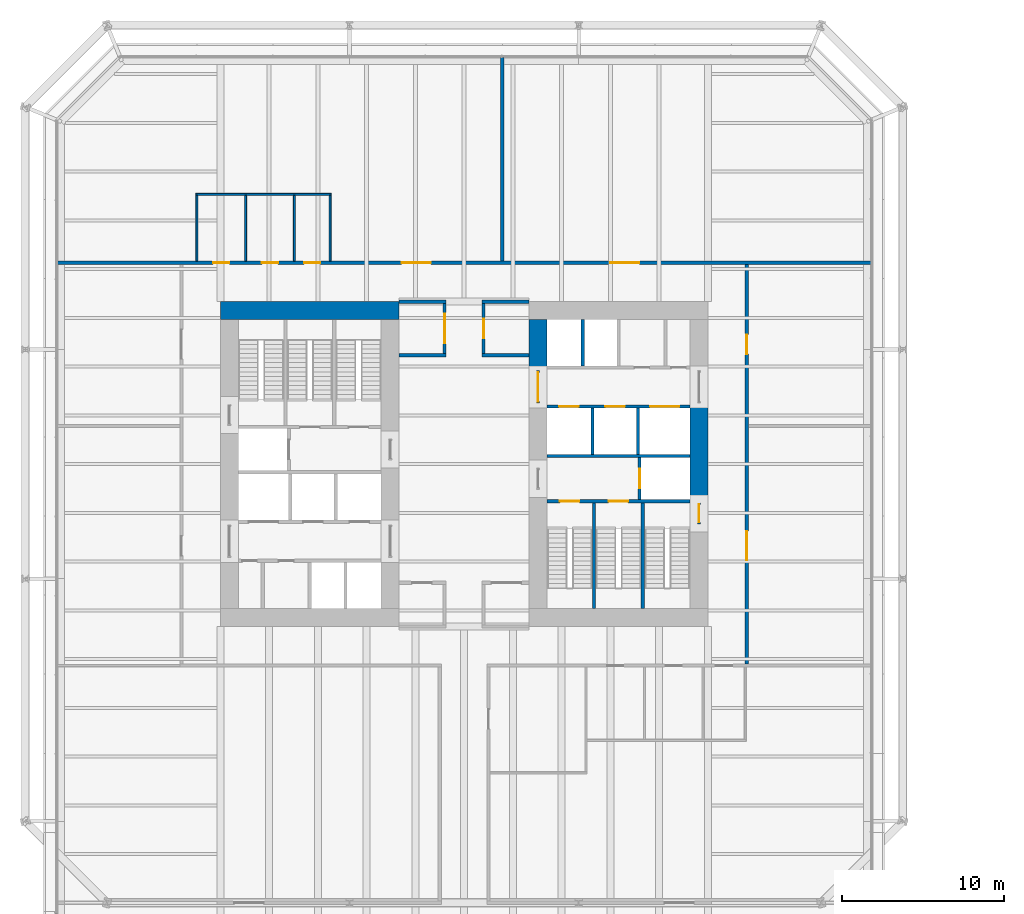
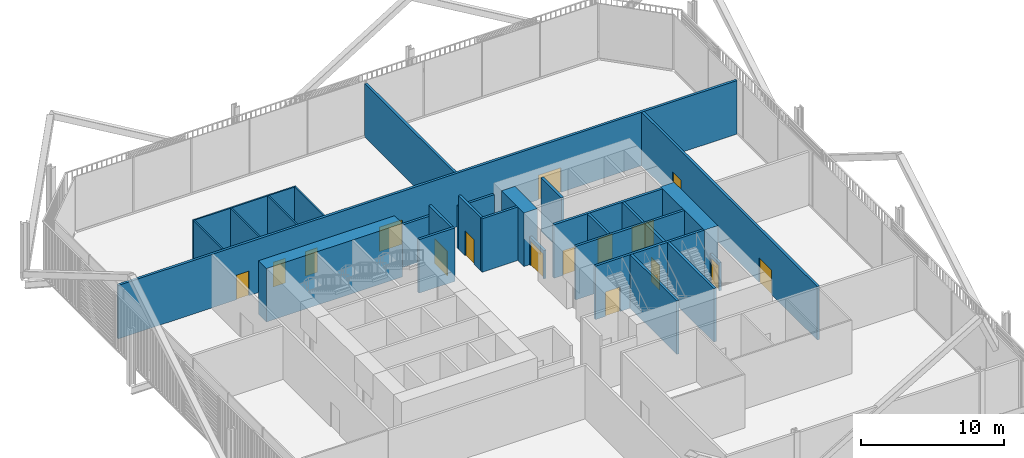
# One storey, part 21 of 26: 28 walls, 17 doors, 17 openings.
"""IFC4 building model written with IfcOpenShell, lengths in metres."""

import ifcopenshell
import ifcopenshell.guid

model = None  # the IFC model being written
_history = None  # IfcOwnerHistory: only IFC2X3 demands one
_inside = {}  # id of a spatial element -> (the spatial element, [elements in it])
_under = {}  # id of a project, library or spatial element -> (it, [spatial elements below it])
_declared = {}  # id of a project -> (the project, [libraries it declares])
_typed = {}  # id of a type object -> (the type object, [elements of that type])
_made_of = {}  # id of a material, layer set ... -> (it, [elements and type objects made of it])


def new_model(schema):
    """Start an empty IFC model of exactly this schema.

    Asked for "IFC4X3", IfcOpenShell would pick the latest addendum, in which some entities
    have other attributes; the version numbers below select the first issue.
    IFC2X3 requires an IfcOwnerHistory on every rooted entity: one is made here for all.
    """
    global model, _history
    if schema == "IFC4X3":
        model = ifcopenshell.file(schema_version=(4, 3, 0, 0))
    else:
        model = ifcopenshell.file(schema=schema)
    _inside.clear()
    _under.clear()
    _declared.clear()
    _typed.clear()
    _made_of.clear()
    _history = None
    if model.schema == "IFC2X3":
        org = make("IfcOrganization", Name="unknown")
        user = make(
            "IfcPersonAndOrganization",
            ThePerson=make("IfcPerson", FamilyName="unknown"),
            TheOrganization=org,
        )
        app = make(
            "IfcApplication",
            ApplicationDeveloper=org,
            Version="unknown",
            ApplicationFullName="unknown",
            ApplicationIdentifier="unknown",
        )
        _history = make(
            "IfcOwnerHistory",
            OwningUser=user,
            OwningApplication=app,
            ChangeAction="ADDED",
            CreationDate=0,
        )
    return model


def make(cls, **values):
    """One entity of the class cls with the attributes given. An attribute that is None is left unset."""
    return model.create_entity(
        cls, **{name: value for name, value in values.items() if value is not None}
    )


def rooted(cls, **values):
    """An entity with a GlobalId (a new one), such as an element, a storey or a relation."""
    return make(cls, GlobalId=ifcopenshell.guid.new(), OwnerHistory=_history, **values)


def si_unit(unit_type, name, prefix=None):
    """IfcSIUnit, for example si_unit("LENGTHUNIT", "METRE", prefix="MILLI")."""
    return make("IfcSIUnit", UnitType=unit_type, Prefix=prefix, Name=name)


def assignment(units):
    """IfcUnitAssignment: the units of a project."""
    return None if units is None else make("IfcUnitAssignment", Units=units)


def point(xyz):
    """IfcCartesianPoint."""
    return None if xyz is None else make("IfcCartesianPoint", Coordinates=xyz)


def direction(xyz):
    """IfcDirection."""
    return None if xyz is None else make("IfcDirection", DirectionRatios=xyz)


def frame(location, z_axis=None, x_axis=None):
    """IfcAxis2Placement3D, a coordinate frame: its origin and axes. An axis left out is left unset."""
    return make(
        "IfcAxis2Placement3D",
        Location=point(location),
        Axis=direction(z_axis),
        RefDirection=direction(x_axis),
    )


def frame_2d(location, x_axis=None):
    """IfcAxis2Placement2D, a coordinate frame in the plane: its origin and x axis."""
    return make(
        "IfcAxis2Placement2D", Location=point(location), RefDirection=direction(x_axis)
    )


def origin():
    """The frame at (0, 0, 0) with its axes left unset."""
    return frame((0.0, 0.0, 0.0))


def place(relative_to, where):
    """IfcLocalPlacement: puts the frame where relative to a parent placement (None: the world)."""
    return make(
        "IfcLocalPlacement", PlacementRelTo=relative_to, RelativePlacement=where
    )


def context(
    kind, dimensions, precision=None, world=None, true_north=None, identifier=None
):
    """IfcGeometricRepresentationContext, for example the 3D "Model" context."""
    return make(
        "IfcGeometricRepresentationContext",
        ContextIdentifier=identifier,
        ContextType=kind,
        CoordinateSpaceDimension=dimensions,
        Precision=precision,
        WorldCoordinateSystem=world,
        TrueNorth=true_north,
    )


def subcontext(parent, identifier, kind, view, scale=None):
    """IfcGeometricRepresentationSubContext, for example "Body" below "Model"."""
    return make(
        "IfcGeometricRepresentationSubContext",
        ContextIdentifier=identifier,
        ContextType=kind,
        ParentContext=parent,
        TargetScale=scale,
        TargetView=view,
    )


def project(units=None, contexts=None):
    """IfcProject with its units and contexts."""
    return rooted(
        "IfcProject",
        Name="project",
        RepresentationContexts=contexts,
        UnitsInContext=assignment(units),
    )


def spatial(cls, under=None, at=None, **own):
    """A site, building, storey or space (cls), placed at a placement, below another one or the project."""
    s = rooted(cls, ObjectPlacement=at, **own)
    if under is not None:
        _under.setdefault(under.id(), (under, []))[1].append(s)
    return s


def profile(cls, at=None, kind="AREA", **sizes):
    """A parametric profile (cls). Its sizes go by their IFC names, for example OverallWidth=200.0."""
    return make(cls, ProfileType=kind, Position=at, **sizes)


def rectangle(**sizes):
    """IfcRectangleProfileDef."""
    return profile("IfcRectangleProfileDef", **sizes)


def extrude(swept, where, along, depth):
    """IfcExtrudedAreaSolid: the profile swept, set in the frame where, extruded along a direction by depth."""
    return make(
        "IfcExtrudedAreaSolid",
        SweptArea=swept,
        Position=where,
        ExtrudedDirection=direction(along),
        Depth=depth,
    )


def shape(context_of_items, identifier, shape_type, items):
    """IfcShapeRepresentation: the items that make up one representation, for example the "Body"."""
    return make(
        "IfcShapeRepresentation",
        ContextOfItems=context_of_items,
        RepresentationIdentifier=identifier,
        RepresentationType=shape_type,
        Items=items,
    )


def material(Name=None, Category=None):
    """IfcMaterial."""
    return make("IfcMaterial", Name=Name, Category=Category)


def layer(
    of_material, thickness, ventilated=None, Name=None, Category=None, Priority=None
):
    """IfcMaterialLayer: one layer of a wall or slab, of a material (None: an air gap)."""
    return make(
        "IfcMaterialLayer",
        Material=of_material,
        LayerThickness=thickness,
        IsVentilated=ventilated,
        Name=Name,
        Category=Category,
        Priority=Priority,
    )


def layer_set(layers, Name=None):
    """IfcMaterialLayerSet."""
    return make("IfcMaterialLayerSet", MaterialLayers=layers, LayerSetName=Name)


def made_of(thing, what):
    """Note that an element or type object is made of a material, layer set ...; save() writes the relation."""
    if what is not None:
        _made_of.setdefault(what.id(), (what, []))[1].append(thing)
    return thing


def type_object(cls, material=None, **own):
    """A type object (cls), such as IfcWallType, which elements share."""
    return made_of(rooted(cls, **own), material)


def element(
    cls,
    number,
    at=None,
    inside=None,
    cuts=None,
    type_object=None,
    material=None,
    context=None,
    identifier="Body",
    shape_type=None,
    held_by="IfcProductDefinitionShape",
    body=None,
    shapes=None,
    **own,
):
    """One element of the class cls, such as IfcWall. Its Tag is "e" and its number.

    at: its placement. inside: the storey or other place that contains it. cuts: it is an
    opening in that element (IfcRelVoidsElement). A single representation is given by context,
    identifier, shape_type and body (its items); several are given by shapes. held_by: the class
    of the entity that holds the representations. save() writes the other relations.
    """
    e = rooted(cls, Tag="e%d" % number, ObjectPlacement=at, **own)
    if body is not None:
        shapes = [shape(context, identifier, shape_type, body)]
    if shapes is not None:
        e.Representation = make(held_by, Representations=shapes)
    if inside is not None:
        _inside.setdefault(inside.id(), (inside, []))[1].append(e)
    if cuts is not None:
        rooted(
            "IfcRelVoidsElement", RelatingBuildingElement=cuts, RelatedOpeningElement=e
        )
    if type_object is not None:
        _typed.setdefault(type_object.id(), (type_object, []))[1].append(e)
    return made_of(e, material)


def fill(opening, filler):
    """IfcRelFillsElement: the door or window that sits in an opening."""
    return rooted(
        "IfcRelFillsElement",
        RelatingOpeningElement=opening,
        RelatedBuildingElement=filler,
    )


def aggregate(whole, parts):
    """IfcRelAggregates: a whole, such as a stair, and the parts it consists of."""
    return rooted("IfcRelAggregates", RelatingObject=whole, RelatedObjects=parts)


def save(model, path):
    """Write the relations noted so far, then the file.

    IfcRelAggregates (storeys below a building ...), IfcRelContainedInSpatialStructure (elements
    in a storey), IfcRelDefinesByType, IfcRelAssociatesMaterial and IfcRelDeclares: one each for
    every whole, place, type object, material and project.
    """
    for whole, parts in _under.values():
        aggregate(whole, parts)
    for where, things in _inside.values():
        rooted(
            "IfcRelContainedInSpatialStructure",
            RelatedElements=things,
            RelatingStructure=where,
        )
    for kind, things in _typed.values():
        rooted("IfcRelDefinesByType", RelatedObjects=things, RelatingType=kind)
    for what, things in _made_of.values():
        rooted("IfcRelAssociatesMaterial", RelatedObjects=things, RelatingMaterial=what)
    for by, libraries in _declared.values():
        rooted("IfcRelDeclares", RelatingContext=by, RelatedDefinitions=libraries)
    model.write(path)


model = new_model("IFC4")

# Units and contexts
model_context = context("Model", 3, precision=1e-05, world=origin(), true_north=direction((0.0, 1.0)))
body_context = subcontext(model_context, "Body", "Model", "MODEL_VIEW")
ifc_project = project(units=[si_unit("LENGTHUNIT", "METRE"), si_unit("AREAUNIT", "SQUARE_METRE"), si_unit("VOLUMEUNIT", "CUBIC_METRE"), si_unit("PLANEANGLEUNIT", "RADIAN"), si_unit("MASSUNIT", "GRAM", prefix="KILO")], contexts=[model_context])

# Site, building, storey
site_placement = place(None, origin())
site = spatial("IfcSite", under=ifc_project, at=site_placement, CompositionType="ELEMENT")
building_placement = place(site_placement, origin())
building = spatial("IfcBuilding", under=site, at=building_placement, Name="Millrace Tower", CompositionType="ELEMENT")
storey_placement = place(building_placement, frame((0.0, 0.0, 11.300048828125)))
storey = spatial("IfcBuildingStorey", under=building, at=storey_placement, Name="L03", CompositionType="ELEMENT", Elevation=11.300048828125)

# Walls
ifc_material_1 = material(Name="Concrete C80", Category="concrete")
ifc_layer_1 = layer(ifc_material_1, 1.10009765625)
ifc_layer_set_1 = layer_set([ifc_layer_1], Name="Concrete C80")
wall_type_1 = type_object("IfcWallType", Name="Core wall 1100 Concrete C80", PredefinedType="SHEAR", material=ifc_layer_set_1)
wall_1_placement = place(storey_placement, frame((-15.0, 9.449951171875, 0.0), z_axis=(0.0, 0.0, 1.0), x_axis=(1.0, 0.0, 0.0)))
element("IfcWall", 1, at=wall_1_placement, inside=storey, type_object=wall_type_1, Name="Core wall W L03", PredefinedType="SHEAR", context=body_context, shape_type="SweptSolid", body=[
    extrude(rectangle(XDim=11.0, YDim=1.10009765625, at=frame_2d((5.5, 0.0))), origin(), (0.0, 0.0, 1.0), 4.574951171875),
])
wall_2_placement = place(storey_placement, frame((14.449951171875, 3.75, 0.0), z_axis=(0.0, 0.0, 1.0), x_axis=(0.0, -1.0, 0.0)))
element("IfcWall", 2, at=wall_2_placement, inside=storey, type_object=wall_type_1, Name="Core wall E L03", PredefinedType="SHEAR", context=body_context, shape_type="SweptSolid", body=[
    extrude(rectangle(XDim=6.1298828125, YDim=1.10009765625, at=frame_2d((3.06494140625, 0.0))), origin(), (0.0, 0.0, 1.0), 4.574951171875),
])
wall_3_placement = place(storey_placement, frame((4.550048828125, 8.89990234375, 0.0), z_axis=(0.0, 0.0, 1.0), x_axis=(0.0, -1.0, 0.0)))
element("IfcWall", 3, at=wall_3_placement, inside=storey, type_object=wall_type_1, Name="Core wall E L03", PredefinedType="SHEAR", context=body_context, shape_type="SweptSolid", body=[
    extrude(rectangle(XDim=3.14990234375, YDim=1.10009765625, at=frame_2d((1.574951171875, 0.0))), origin(), (0.0, 0.0, 1.0), 4.574951171875),
])
ifc_material_2 = material(Name="Masonry partition, fire-rated", Category="masonry")
ifc_layer_2 = layer(ifc_material_2, 0.199951171875)
ifc_layer_set_2 = layer_set([ifc_layer_2], Name="Masonry partition, fire-rated")
wall_type_2 = type_object("IfcWallType", Name="Corridor wall 200", PredefinedType="PARTITIONING", material=ifc_layer_set_2)
for number, where, z_axis, x_axis, name in (
    (4, (-4.0, 6.699951171875, 0.0), (0.0, 0.0, 1.0), (1.0, 0.0, 0.0), "Corridor wall L03"),
    (5, (1.10009765625, 6.699951171875, 0.0), (0.0, 0.0, 1.0), (1.0, 0.0, 0.0), "Corridor wall L03"),
):
    element("IfcWall", number, at=place(storey_placement, frame(where, z_axis=z_axis, x_axis=x_axis)), inside=storey, type_object=wall_type_2, Name=name, PredefinedType="PARTITIONING", context=body_context, shape_type="SweptSolid", body=[
        extrude(rectangle(XDim=2.89990234375, YDim=0.199951171875, at=frame_2d((1.449951171875, 0.0))), origin(), (0.0, 0.0, 1.0), 4.574951171875),
    ])
for number, where, z_axis, x_axis, name in (
    (6, (-4.0, 10.0, 0.0), (0.0, 0.0, 1.0), (1.0, 0.0, 0.0), "Corridor wall L03"),
    (7, (1.10009765625, 10.0, 0.0), (0.0, 0.0, 1.0), (1.0, 0.0, 0.0), "Corridor wall L03"),
):
    element("IfcWall", number, at=place(storey_placement, frame(where, z_axis=z_axis, x_axis=x_axis)), inside=storey, type_object=wall_type_2, Name=name, PredefinedType="PARTITIONING", context=body_context, shape_type="SweptSolid", body=[
        extrude(rectangle(XDim=2.89990234375, YDim=0.199951171875, at=frame_2d((1.449951171875, 0.0))), origin(), (0.0, 0.0, 1.0), 3.62744140625),
    ])

# Wall, openings, doors
wall_4_placement = place(storey_placement, frame((-25.030029296875, 12.39990234375, 0.0), z_axis=(0.0, 0.0, 1.0), x_axis=(1.0, 0.0, 0.0)))
wall_4 = element("IfcWall", 8, at=wall_4_placement, inside=storey, type_object=wall_type_2, Name="Corridor wall L03", PredefinedType="PARTITIONING", context=body_context, shape_type="SweptSolid", body=[
    extrude(rectangle(XDim=50.06005859375, YDim=0.199951171875, at=frame_2d((25.030029296875, 0.0))), origin(), (0.0, 0.0, 1.0), 4.574951171875),
])
opening_1_placement = place(wall_4_placement, frame((21.179931640625, 0.0, 0.0)))
opening_1 = element("IfcOpeningElement", 9, at=opening_1_placement, cuts=wall_4, Name="Opening 03-P005", PredefinedType="OPENING", context=body_context, shape_type="SweptSolid", body=[
    extrude(rectangle(XDim=1.800048828125, YDim=2.10009765625, at=frame_2d((0.89990234375, 1.050048828125))), frame((0.0, 0.10986328125, 0.0), z_axis=(0.0, -1.0, 0.0), x_axis=(1.0, 0.0, 0.0)), (0.0, 0.0, 1.0), 0.219970703125),
])
opening_2_placement = place(wall_4_placement, frame((9.580078125, 0.0, 0.0)))
opening_2 = element("IfcOpeningElement", 10, at=opening_2_placement, cuts=wall_4, Name="Opening 03-P006", PredefinedType="OPENING", context=body_context, shape_type="SweptSolid", body=[
    extrude(rectangle(XDim=1.0, YDim=2.10009765625, at=frame_2d((0.5, 1.050048828125))), frame((0.0, 0.10986328125, 0.0), z_axis=(0.0, -1.0, 0.0), x_axis=(1.0, 0.0, 0.0)), (0.0, 0.0, 1.0), 0.219970703125),
])
opening_3_placement = place(wall_4_placement, frame((12.580078125, 0.0, 0.0)))
opening_3 = element("IfcOpeningElement", 11, at=opening_3_placement, cuts=wall_4, Name="Opening 03-P007", PredefinedType="OPENING", context=body_context, shape_type="SweptSolid", body=[
    extrude(rectangle(XDim=1.0, YDim=2.10009765625, at=frame_2d((0.5, 1.050048828125))), frame((0.0, 0.10986328125, 0.0), z_axis=(0.0, -1.0, 0.0), x_axis=(1.0, 0.0, 0.0)), (0.0, 0.0, 1.0), 0.219970703125),
])
opening_4_placement = place(wall_4_placement, frame((15.179931640625, 0.0, 0.0)))
opening_4 = element("IfcOpeningElement", 12, at=opening_4_placement, cuts=wall_4, Name="Opening 03-P008", PredefinedType="OPENING", context=body_context, shape_type="SweptSolid", body=[
    extrude(rectangle(XDim=1.0, YDim=2.10009765625, at=frame_2d((0.5, 1.050048828125))), frame((0.0, 0.10986328125, 0.0), z_axis=(0.0, -1.0, 0.0), x_axis=(1.0, 0.0, 0.0)), (0.0, 0.0, 1.0), 0.219970703125),
])
opening_5_placement = place(wall_4_placement, frame((34.010009765625, 0.0, 0.0)))
opening_5 = element("IfcOpeningElement", 13, at=opening_5_placement, cuts=wall_4, Name="Opening 03-P009", PredefinedType="OPENING", context=body_context, shape_type="SweptSolid", body=[
    extrude(rectangle(XDim=1.800048828125, YDim=2.10009765625, at=frame_2d((0.89990234375, 1.050048828125))), frame((0.0, 0.10986328125, 0.0), z_axis=(0.0, -1.0, 0.0), x_axis=(1.0, 0.0, 0.0)), (0.0, 0.0, 1.0), 0.219970703125),
])
ifc_material_3 = material(Name="Steel door set, fire-rated", Category="steel")
door_type_1 = type_object("IfcDoorType", Name="Corridor door 1000 x 2100", OperationType="SINGLE_SWING_LEFT", PredefinedType="DOOR", material=ifc_material_3)
door_1_placement = place(opening_2_placement, origin())
door_1 = element("IfcDoor", 14, at=door_1_placement, inside=storey, type_object=door_type_1, Name="Door 03-P006", OperationType="SINGLE_SWING_LEFT", OverallHeight=2.10009765625, OverallWidth=1.0, PredefinedType="DOOR", context=body_context, shape_type="SweptSolid", body=[
    extrude(rectangle(XDim=1.0, YDim=2.10009765625, at=frame_2d((0.5, 1.050048828125))), frame((0.0, 0.02490234375, 0.0), z_axis=(0.0, -1.0, 0.0), x_axis=(1.0, 0.0, 0.0)), (0.0, 0.0, 1.0), 0.050048828125),
])
fill(opening_2, door_1)
door_2_placement = place(opening_3_placement, origin())
door_2 = element("IfcDoor", 15, at=door_2_placement, inside=storey, type_object=door_type_1, Name="Door 03-P007", OperationType="SINGLE_SWING_LEFT", OverallHeight=2.10009765625, OverallWidth=1.0, PredefinedType="DOOR", context=body_context, shape_type="SweptSolid", body=[
    extrude(rectangle(XDim=1.0, YDim=2.10009765625, at=frame_2d((0.5, 1.050048828125))), frame((0.0, 0.02490234375, 0.0), z_axis=(0.0, -1.0, 0.0), x_axis=(1.0, 0.0, 0.0)), (0.0, 0.0, 1.0), 0.050048828125),
])
fill(opening_3, door_2)
door_3_placement = place(opening_4_placement, origin())
door_3 = element("IfcDoor", 16, at=door_3_placement, inside=storey, type_object=door_type_1, Name="Door 03-P008", OperationType="SINGLE_SWING_LEFT", OverallHeight=2.10009765625, OverallWidth=1.0, PredefinedType="DOOR", context=body_context, shape_type="SweptSolid", body=[
    extrude(rectangle(XDim=1.0, YDim=2.10009765625, at=frame_2d((0.5, 1.050048828125))), frame((0.0, 0.02490234375, 0.0), z_axis=(0.0, -1.0, 0.0), x_axis=(1.0, 0.0, 0.0)), (0.0, 0.0, 1.0), 0.050048828125),
])
fill(opening_4, door_3)
ifc_material_4 = material(Name="Steel door set, fire-rated", Category="steel")
door_type_2 = type_object("IfcDoorType", Name="Corridor door 1800 x 2100", OperationType="DOUBLE_DOOR_SINGLE_SWING", PredefinedType="DOOR", material=ifc_material_4)
door_4_placement = place(opening_1_placement, frame((1.800048828125, 0.0, 0.0), z_axis=(0.0, 0.0, 1.0), x_axis=(-1.0, 0.0, 0.0)))
door_4 = element("IfcDoor", 17, at=door_4_placement, inside=storey, type_object=door_type_2, Name="Door 03-P005", OperationType="DOUBLE_DOOR_SINGLE_SWING", OverallHeight=2.10009765625, OverallWidth=1.800048828125, PredefinedType="DOOR", context=body_context, shape_type="SweptSolid", body=[
    extrude(rectangle(XDim=1.800048828125, YDim=2.10009765625, at=frame_2d((0.89990234375, 1.050048828125))), frame((0.0, 0.02490234375, 0.0), z_axis=(0.0, -1.0, 0.0), x_axis=(1.0, 0.0, 0.0)), (0.0, 0.0, 1.0), 0.050048828125),
])
fill(opening_1, door_4)
ifc_material_5 = material(Name="Steel door set, fire-rated", Category="steel")
door_type_3 = type_object("IfcDoorType", Name="Data hall door 1800 x 2100", OperationType="DOUBLE_DOOR_SINGLE_SWING", PredefinedType="DOOR", material=ifc_material_5)
door_5_placement = place(opening_5_placement, origin())
door_5 = element("IfcDoor", 18, at=door_5_placement, inside=storey, type_object=door_type_3, Name="Door 03-P009", OperationType="DOUBLE_DOOR_SINGLE_SWING", OverallHeight=2.10009765625, OverallWidth=1.800048828125, PredefinedType="DOOR", context=body_context, shape_type="SweptSolid", body=[
    extrude(rectangle(XDim=1.800048828125, YDim=2.10009765625, at=frame_2d((0.89990234375, 1.050048828125))), frame((0.0, 0.02490234375, 0.0), z_axis=(0.0, -1.0, 0.0), x_axis=(1.0, 0.0, 0.0)), (0.0, 0.0, 1.0), 0.050048828125),
])
fill(opening_5, door_5)

wall_5_placement = place(storey_placement, frame((17.39990234375, -12.300048828125, 0.0), z_axis=(0.0, 0.0, 1.0), x_axis=(0.0, 1.0, 0.0)))
wall_5 = element("IfcWall", 19, at=wall_5_placement, inside=storey, type_object=wall_type_2, Name="Corridor wall L03", PredefinedType="PARTITIONING", context=body_context, shape_type="SweptSolid", body=[
    extrude(rectangle(XDim=24.60009765625, YDim=0.199951171875, at=frame_2d((12.300048828125, 0.0))), origin(), (0.0, 0.0, 1.0), 4.574951171875),
])
opening_6_placement = place(wall_5_placement, frame((6.375, 0.0, 0.0)))
opening_6 = element("IfcOpeningElement", 20, at=opening_6_placement, cuts=wall_5, Name="Opening 03-P010", PredefinedType="OPENING", context=body_context, shape_type="SweptSolid", body=[
    extrude(rectangle(XDim=1.800048828125, YDim=2.10009765625, at=frame_2d((0.89990234375, 1.050048828125))), frame((0.0, 0.10986328125, 0.0), z_axis=(0.0, -1.0, 0.0), x_axis=(1.0, 0.0, 0.0)), (0.0, 0.0, 1.0), 0.219970703125),
])
opening_7_placement = place(wall_5_placement, frame((19.074951171875, 0.0, 0.0)))
opening_7 = element("IfcOpeningElement", 21, at=opening_7_placement, cuts=wall_5, Name="Opening 03-P011", PredefinedType="OPENING", context=body_context, shape_type="SweptSolid", body=[
    extrude(rectangle(XDim=1.199951171875, YDim=2.10009765625, at=frame_2d((0.60009765625, 1.050048828125))), frame((0.0, 0.10986328125, 0.0), z_axis=(0.0, -1.0, 0.0), x_axis=(1.0, 0.0, 0.0)), (0.0, 0.0, 1.0), 0.219970703125),
])
ifc_material_6 = material(Name="Steel door set, fire-rated", Category="steel")
door_type_4 = type_object("IfcDoorType", Name="Corridor door 1200 x 2100", OperationType="SINGLE_SWING_LEFT", PredefinedType="DOOR", material=ifc_material_6)
door_6_placement = place(opening_7_placement, frame((1.199951171875, 0.0, 0.0), z_axis=(0.0, 0.0, 1.0), x_axis=(-1.0, 0.0, 0.0)))
door_6 = element("IfcDoor", 22, at=door_6_placement, inside=storey, type_object=door_type_4, Name="Door 03-P011", OperationType="SINGLE_SWING_LEFT", OverallHeight=2.10009765625, OverallWidth=1.199951171875, PredefinedType="DOOR", context=body_context, shape_type="SweptSolid", body=[
    extrude(rectangle(XDim=1.199951171875, YDim=2.10009765625, at=frame_2d((0.60009765625, 1.050048828125))), frame((0.0, 0.02490234375, 0.0), z_axis=(0.0, -1.0, 0.0), x_axis=(1.0, 0.0, 0.0)), (0.0, 0.0, 1.0), 0.050048828125),
])
fill(opening_7, door_6)
door_7_placement = place(opening_6_placement, frame((1.800048828125, 0.0, 0.0), z_axis=(0.0, 0.0, 1.0), x_axis=(-1.0, 0.0, 0.0)))
door_7 = element("IfcDoor", 23, at=door_7_placement, inside=storey, type_object=door_type_3, Name="Door 03-P010", OperationType="DOUBLE_DOOR_SINGLE_SWING", OverallHeight=2.10009765625, OverallWidth=1.800048828125, PredefinedType="DOOR", context=body_context, shape_type="SweptSolid", body=[
    extrude(rectangle(XDim=1.800048828125, YDim=2.10009765625, at=frame_2d((0.89990234375, 1.050048828125))), frame((0.0, 0.02490234375, 0.0), z_axis=(0.0, -1.0, 0.0), x_axis=(1.0, 0.0, 0.0)), (0.0, 0.0, 1.0), 0.050048828125),
])
fill(opening_6, door_7)

# Wall
wall_6_placement = place(storey_placement, frame((2.35009765625, 12.5, 0.0), z_axis=(0.0, 0.0, 1.0), x_axis=(0.0, 1.0, 0.0)))
element("IfcWall", 24, at=wall_6_placement, inside=storey, type_object=wall_type_2, Name="Corridor wall L03", PredefinedType="PARTITIONING", context=body_context, shape_type="SweptSolid", body=[
    extrude(rectangle(XDim=12.530029296875, YDim=0.199951171875, at=frame_2d((6.26513671875, 0.0))), origin(), (0.0, 0.0, 1.0), 4.574951171875),
])

# Wall, opening, door
wall_7_placement = place(storey_placement, frame((1.199951171875, 6.800048828125, 0.0), z_axis=(0.0, 0.0, 1.0), x_axis=(0.0, 1.0, 0.0)))
wall_7 = element("IfcWall", 25, at=wall_7_placement, inside=storey, type_object=wall_type_2, Name="Corridor wall L03", PredefinedType="PARTITIONING", context=body_context, shape_type="SweptSolid", body=[
    extrude(rectangle(XDim=3.099853515625, YDim=0.199951171875, at=frame_2d((1.5498046875, 0.0))), origin(), (0.0, 0.0, 1.0), 4.574951171875),
])
opening_8_placement = place(wall_7_placement, frame((0.949951171875, 0.0, 0.0)))
opening_8 = element("IfcOpeningElement", 26, at=opening_8_placement, cuts=wall_7, Name="Opening 03-P002", PredefinedType="OPENING", context=body_context, shape_type="SweptSolid", body=[
    extrude(rectangle(XDim=1.199951171875, YDim=2.10009765625, at=frame_2d((0.60009765625, 1.050048828125))), frame((0.0, 0.10986328125, 0.0), z_axis=(0.0, -1.0, 0.0), x_axis=(1.0, 0.0, 0.0)), (0.0, 0.0, 1.0), 0.219970703125),
])
door_8_placement = place(opening_8_placement, frame((1.199951171875, 0.0, 0.0), z_axis=(0.0, 0.0, 1.0), x_axis=(-1.0, 0.0, 0.0)))
door_8 = element("IfcDoor", 27, at=door_8_placement, inside=storey, type_object=door_type_4, Name="Door 03-P002", OperationType="SINGLE_SWING_LEFT", OverallHeight=2.10009765625, OverallWidth=1.199951171875, PredefinedType="DOOR", context=body_context, shape_type="SweptSolid", body=[
    extrude(rectangle(XDim=1.199951171875, YDim=2.10009765625, at=frame_2d((0.60009765625, 1.050048828125))), frame((0.0, 0.02490234375, 0.0), z_axis=(0.0, -1.0, 0.0), x_axis=(1.0, 0.0, 0.0)), (0.0, 0.0, 1.0), 0.050048828125),
])
fill(opening_8, door_8)

wall_8_placement = place(storey_placement, frame((-1.199951171875, 6.800048828125, 0.0), z_axis=(0.0, 0.0, 1.0), x_axis=(0.0, 1.0, 0.0)))
wall_8 = element("IfcWall", 28, at=wall_8_placement, inside=storey, type_object=wall_type_2, Name="Corridor wall L03", PredefinedType="PARTITIONING", context=body_context, shape_type="SweptSolid", body=[
    extrude(rectangle(XDim=3.099853515625, YDim=0.199951171875, at=frame_2d((1.5498046875, 0.0))), origin(), (0.0, 0.0, 1.0), 4.574951171875),
])
opening_9_placement = place(wall_8_placement, frame((0.64990234375, 0.0, 0.0)))
opening_9 = element("IfcOpeningElement", 29, at=opening_9_placement, cuts=wall_8, Name="Opening 03-P001", PredefinedType="OPENING", context=body_context, shape_type="SweptSolid", body=[
    extrude(rectangle(XDim=1.800048828125, YDim=2.10009765625, at=frame_2d((0.89990234375, 1.050048828125))), frame((0.0, 0.10986328125, 0.0), z_axis=(0.0, -1.0, 0.0), x_axis=(1.0, 0.0, 0.0)), (0.0, 0.0, 1.0), 0.219970703125),
])
door_9_placement = place(opening_9_placement, origin())
door_9 = element("IfcDoor", 30, at=door_9_placement, inside=storey, type_object=door_type_3, Name="Door 03-P001", OperationType="DOUBLE_DOOR_SINGLE_SWING", OverallHeight=2.10009765625, OverallWidth=1.800048828125, PredefinedType="DOOR", context=body_context, shape_type="SweptSolid", body=[
    extrude(rectangle(XDim=1.800048828125, YDim=2.10009765625, at=frame_2d((0.89990234375, 1.050048828125))), frame((0.0, 0.02490234375, 0.0), z_axis=(0.0, -1.0, 0.0), x_axis=(1.0, 0.0, 0.0)), (0.0, 0.0, 1.0), 0.050048828125),
])
fill(opening_9, door_9)

# Wall, openings, doors
ifc_material_7 = material(Name="Masonry partition, fire-rated", Category="masonry")
ifc_layer_3 = layer(ifc_material_7, 0.199951171875)
ifc_layer_set_3 = layer_set([ifc_layer_3], Name="Masonry partition, fire-rated")
wall_type_3 = type_object("IfcWallType", Name="Lift shaft wall 200", PredefinedType="PARTITIONING", material=ifc_layer_set_3)
wall_9_placement = place(storey_placement, frame((13.89990234375, 3.550048828125, 0.0), z_axis=(0.0, 0.0, 1.0), x_axis=(-1.0, 0.0, 0.0)))
wall_9 = element("IfcWall", 31, at=wall_9_placement, inside=storey, type_object=wall_type_3, Name="Lift shaft wall E L03", PredefinedType="PARTITIONING", context=body_context, shape_type="SweptSolid", body=[
    extrude(rectangle(XDim=8.7998046875, YDim=0.199951171875, at=frame_2d((4.39990234375, 0.0))), origin(), (0.0, 0.0, 1.0), 4.574951171875),
])
opening_10_placement = place(wall_9_placement, frame((0.64990234375, 0.0, 0.0)))
opening_10 = element("IfcOpeningElement", 32, at=opening_10_placement, cuts=wall_9, Name="Opening 03-LD13", PredefinedType="OPENING", context=body_context, shape_type="SweptSolid", body=[
    extrude(rectangle(XDim=1.800048828125, YDim=2.10009765625, at=frame_2d((0.89990234375, 1.050048828125))), frame((0.0, 0.10986328125, 0.0), z_axis=(0.0, -1.0, 0.0), x_axis=(1.0, 0.0, 0.0)), (0.0, 0.0, 1.0), 0.219970703125),
])
opening_11_placement = place(wall_9_placement, frame((4.0, 0.0, 0.0)))
opening_11 = element("IfcOpeningElement", 33, at=opening_11_placement, cuts=wall_9, Name="Opening 03-LD14", PredefinedType="OPENING", context=body_context, shape_type="SweptSolid", body=[
    extrude(rectangle(XDim=1.199951171875, YDim=2.10009765625, at=frame_2d((0.60009765625, 1.050048828125))), frame((0.0, 0.10986328125, 0.0), z_axis=(0.0, -1.0, 0.0), x_axis=(1.0, 0.0, 0.0)), (0.0, 0.0, 1.0), 0.219970703125),
])
opening_12_placement = place(wall_9_placement, frame((6.85009765625, 0.0, 0.0)))
opening_12 = element("IfcOpeningElement", 34, at=opening_12_placement, cuts=wall_9, Name="Opening 03-LD15", PredefinedType="OPENING", context=body_context, shape_type="SweptSolid", body=[
    extrude(rectangle(XDim=1.199951171875, YDim=2.10009765625, at=frame_2d((0.60009765625, 1.050048828125))), frame((0.0, 0.10986328125, 0.0), z_axis=(0.0, -1.0, 0.0), x_axis=(1.0, 0.0, 0.0)), (0.0, 0.0, 1.0), 0.219970703125),
])
ifc_material_8 = material(Name="Stainless steel, fire-rated", Category="steel")
door_type_5 = type_object("IfcDoorType", Name="Lift landing door 1200 x 2100", OperationType="DOUBLE_DOOR_SLIDING", PredefinedType="DOOR", material=ifc_material_8)
door_10_placement = place(opening_11_placement, origin())
door_10 = element("IfcDoor", 35, at=door_10_placement, inside=storey, type_object=door_type_5, Name="Lift landing door LF14 L03", OperationType="DOUBLE_DOOR_SLIDING", OverallHeight=2.10009765625, OverallWidth=1.199951171875, PredefinedType="DOOR", context=body_context, shape_type="SweptSolid", body=[
    extrude(rectangle(XDim=1.199951171875, YDim=2.10009765625, at=frame_2d((0.60009765625, 1.050048828125))), frame((0.0, 0.02490234375, 0.0), z_axis=(0.0, -1.0, 0.0), x_axis=(1.0, 0.0, 0.0)), (0.0, 0.0, 1.0), 0.050048828125),
])
fill(opening_11, door_10)
door_11_placement = place(opening_12_placement, origin())
door_11 = element("IfcDoor", 36, at=door_11_placement, inside=storey, type_object=door_type_5, Name="Lift landing door LF15 L03", OperationType="DOUBLE_DOOR_SLIDING", OverallHeight=2.10009765625, OverallWidth=1.199951171875, PredefinedType="DOOR", context=body_context, shape_type="SweptSolid", body=[
    extrude(rectangle(XDim=1.199951171875, YDim=2.10009765625, at=frame_2d((0.60009765625, 1.050048828125))), frame((0.0, 0.02490234375, 0.0), z_axis=(0.0, -1.0, 0.0), x_axis=(1.0, 0.0, 0.0)), (0.0, 0.0, 1.0), 0.050048828125),
])
fill(opening_12, door_11)
ifc_material_9 = material(Name="Stainless steel, fire-rated", Category="steel")
door_type_6 = type_object("IfcDoorType", Name="Lift landing door 1800 x 2100", OperationType="DOUBLE_DOOR_SLIDING", PredefinedType="DOOR", material=ifc_material_9)
door_12_placement = place(opening_10_placement, origin())
door_12 = element("IfcDoor", 37, at=door_12_placement, inside=storey, type_object=door_type_6, Name="Lift landing door LF13 L03", OperationType="DOUBLE_DOOR_SLIDING", OverallHeight=2.10009765625, OverallWidth=1.800048828125, PredefinedType="DOOR", context=body_context, shape_type="SweptSolid", body=[
    extrude(rectangle(XDim=1.800048828125, YDim=2.10009765625, at=frame_2d((0.89990234375, 1.050048828125))), frame((0.0, 0.02490234375, 0.0), z_axis=(0.0, -1.0, 0.0), x_axis=(1.0, 0.0, 0.0)), (0.0, 0.0, 1.0), 0.050048828125),
])
fill(opening_10, door_12)

# Wall
wall_10_placement = place(storey_placement, frame((13.89990234375, 0.5, 0.0), z_axis=(0.0, 0.0, 1.0), x_axis=(-1.0, 0.0, 0.0)))
element("IfcWall", 38, at=wall_10_placement, inside=storey, type_object=wall_type_3, Name="Lift shaft wall E L03", PredefinedType="PARTITIONING", context=body_context, shape_type="SweptSolid", body=[
    extrude(rectangle(XDim=8.7998046875, YDim=0.199951171875, at=frame_2d((4.39990234375, 0.0))), origin(), (0.0, 0.0, 1.0), 4.574951171875),
])

# Wall, opening, door
wall_11_placement = place(storey_placement, frame((10.800048828125, 0.39990234375, 0.0), z_axis=(0.0, 0.0, 1.0), x_axis=(0.0, -1.0, 0.0)))
wall_11 = element("IfcWall", 39, at=wall_11_placement, inside=storey, type_object=wall_type_3, Name="Lift shaft wall E L03", PredefinedType="PARTITIONING", context=body_context, shape_type="SweptSolid", body=[
    extrude(rectangle(XDim=2.579833984375, YDim=0.199951171875, at=frame_2d((1.2900390625, 0.0))), origin(), (0.0, 0.0, 1.0), 4.574951171875),
])
opening_13_placement = place(wall_11_placement, frame((0.68994140625, 0.0, 0.0)))
opening_13 = element("IfcOpeningElement", 40, at=opening_13_placement, cuts=wall_11, Name="Opening 03-LD16", PredefinedType="OPENING", context=body_context, shape_type="SweptSolid", body=[
    extrude(rectangle(XDim=1.199951171875, YDim=2.10009765625, at=frame_2d((0.60009765625, 1.050048828125))), frame((0.0, 0.10986328125, 0.0), z_axis=(0.0, -1.0, 0.0), x_axis=(1.0, 0.0, 0.0)), (0.0, 0.0, 1.0), 0.219970703125),
])
door_13_placement = place(opening_13_placement, origin())
door_13 = element("IfcDoor", 41, at=door_13_placement, inside=storey, type_object=door_type_5, Name="Lift landing door LF16 L03", OperationType="DOUBLE_DOOR_SLIDING", OverallHeight=2.10009765625, OverallWidth=1.199951171875, PredefinedType="DOOR", context=body_context, shape_type="SweptSolid", body=[
    extrude(rectangle(XDim=1.199951171875, YDim=2.10009765625, at=frame_2d((0.60009765625, 1.050048828125))), frame((0.0, 0.02490234375, 0.0), z_axis=(0.0, -1.0, 0.0), x_axis=(1.0, 0.0, 0.0)), (0.0, 0.0, 1.0), 0.050048828125),
])
fill(opening_13, door_13)

# Walls
for number, where, z_axis, x_axis, name in (
    (42, (7.300048828125, 8.89990234375, 0.0), (0.0, 0.0, 1.0), (0.0, -1.0, 0.0), "Lift shaft wall E L03"),
    (43, (10.699951171875, 3.449951171875, 0.0), (0.0, 0.0, 1.0), (0.0, -1.0, 0.0), "Lift shaft wall E L03"),
    (44, (7.89990234375, 3.449951171875, 0.0), (0.0, 0.0, 1.0), (0.0, -1.0, 0.0), "Lift shaft wall E L03"),
):
    element("IfcWall", number, at=place(storey_placement, frame(where, z_axis=z_axis, x_axis=x_axis)), inside=storey, type_object=wall_type_3, Name=name, PredefinedType="PARTITIONING", context=body_context, shape_type="SweptSolid", body=[
        extrude(rectangle(XDim=2.849853515625, YDim=0.199951171875, at=frame_2d((1.4248046875, 0.0))), origin(), (0.0, 0.0, 1.0), 4.574951171875),
    ])

# Wall, opening, door
ifc_material_10 = material(Name="Masonry partition, fire-rated", Category="masonry")
ifc_layer_4 = layer(ifc_material_10, 0.199951171875)
ifc_layer_set_4 = layer_set([ifc_layer_4], Name="Masonry partition, fire-rated")
wall_type_4 = type_object("IfcWallType", Name="Lobby wall 200", PredefinedType="PARTITIONING", material=ifc_layer_set_4)
wall_12_placement = place(storey_placement, frame((4.550048828125, 5.75, 0.0), z_axis=(0.0, 0.0, 1.0), x_axis=(0.0, -1.0, 0.0)))
wall_12 = element("IfcWall", 45, at=wall_12_placement, inside=storey, type_object=wall_type_4, Name="Lobby wall E L03", PredefinedType="PARTITIONING", context=body_context, shape_type="SweptSolid", body=[
    extrude(rectangle(XDim=2.0, YDim=0.199951171875, at=frame_2d((1.0, 0.0))), origin(), (0.0, 0.0, 1.0), 2.39990234375),
])
opening_14_placement = place(wall_12_placement, frame((0.10009765625, 0.0, 0.0)))
opening_14 = element("IfcOpeningElement", 46, at=opening_14_placement, cuts=wall_12, Name="Opening 03-C011", PredefinedType="OPENING", context=body_context, shape_type="SweptSolid", body=[
    extrude(rectangle(XDim=1.800048828125, YDim=2.10009765625, at=frame_2d((0.89990234375, 1.050048828125))), frame((0.0, 0.10986328125, 0.0), z_axis=(0.0, -1.0, 0.0), x_axis=(1.0, 0.0, 0.0)), (0.0, 0.0, 1.0), 0.219970703125),
])
ifc_material_11 = material(Name="Steel door, fire-rated", Category="steel")
door_type_7 = type_object("IfcDoorType", Name="Lobby door 1800 x 2100", OperationType="DOUBLE_DOOR_SINGLE_SWING", PredefinedType="DOOR", material=ifc_material_11)
door_14_placement = place(opening_14_placement, origin())
door_14 = element("IfcDoor", 47, at=door_14_placement, inside=storey, type_object=door_type_7, Name="Lobby door 03-C011", OperationType="DOUBLE_DOOR_SINGLE_SWING", OverallHeight=2.10009765625, OverallWidth=1.800048828125, PredefinedType="DOOR", context=body_context, shape_type="SweptSolid", body=[
    extrude(rectangle(XDim=1.800048828125, YDim=2.10009765625, at=frame_2d((0.89990234375, 1.050048828125))), frame((0.0, 0.02490234375, 0.0), z_axis=(0.0, -1.0, 0.0), x_axis=(1.0, 0.0, 0.0)), (0.0, 0.0, 1.0), 0.050048828125),
])
fill(opening_14, door_14)

# Walls
ifc_material_12 = material(Name="Gypsum board partition")
ifc_layer_5 = layer(ifc_material_12, 0.1201171875)
ifc_layer_set_5 = layer_set([ifc_layer_5], Name="Gypsum board partition")
wall_type_5 = type_object("IfcWallType", Name="Partition wall 120", PredefinedType="PARTITIONING", material=ifc_layer_set_5)
wall_13_placement = place(storey_placement, frame((-16.509033203125, 16.60009765625, 0.0), z_axis=(0.0, 0.0, 1.0), x_axis=(1.0, 0.0, 0.0)))
element("IfcWall", 48, at=wall_13_placement, inside=storey, type_object=wall_type_5, Name="Partition wall L03", PredefinedType="PARTITIONING", context=body_context, shape_type="SweptSolid", body=[
    extrude(rectangle(XDim=8.318115234375, YDim=0.1201171875, at=frame_2d((4.1591796875, 0.0))), origin(), (0.0, 0.0, 1.0), 4.574951171875),
])
wall_14_placement = place(storey_placement, frame((-8.25, 12.5, 0.0), z_axis=(0.0, 0.0, 1.0), x_axis=(0.0, 1.0, 0.0)))
element("IfcWall", 49, at=wall_14_placement, inside=storey, type_object=wall_type_5, Name="Partition wall L03", PredefinedType="PARTITIONING", context=body_context, shape_type="SweptSolid", body=[
    extrude(rectangle(XDim=4.0390625, YDim=0.1201171875, at=frame_2d((2.01953125, 0.0))), origin(), (0.0, 0.0, 1.0), 4.574951171875),
])
for number, where, z_axis, x_axis, name in (
    (50, (-10.449951171875, 12.5, 0.0), (0.0, 0.0, 1.0), (0.0, 1.0, 0.0), "Partition wall L03"),
    (51, (-13.449951171875, 12.5, 0.0), (0.0, 0.0, 1.0), (0.0, 1.0, 0.0), "Partition wall L03"),
):
    element("IfcWall", number, at=place(storey_placement, frame(where, z_axis=z_axis, x_axis=x_axis)), inside=storey, type_object=wall_type_5, Name=name, PredefinedType="PARTITIONING", context=body_context, shape_type="SweptSolid", body=[
        extrude(rectangle(XDim=4.0400390625, YDim=0.1201171875, at=frame_2d((2.02001953125, 0.0))), origin(), (0.0, 0.0, 1.0), 4.574951171875),
    ])
wall_15_placement = place(storey_placement, frame((-16.449951171875, 12.5, 0.0), z_axis=(0.0, 0.0, 1.0), x_axis=(0.0, 1.0, 0.0)))
element("IfcWall", 52, at=wall_15_placement, inside=storey, type_object=wall_type_5, Name="Partition wall L03", PredefinedType="PARTITIONING", context=body_context, shape_type="SweptSolid", body=[
    extrude(rectangle(XDim=4.0390625, YDim=0.1201171875, at=frame_2d((2.01953125, 0.0))), origin(), (0.0, 0.0, 1.0), 4.574951171875),
])

# Wall, opening, door
ifc_material_13 = material(Name="Concrete C40", Category="concrete")
ifc_layer_6 = layer(ifc_material_13, 0.199951171875)
ifc_layer_set_6 = layer_set([ifc_layer_6], Name="Concrete C40")
wall_type_6 = type_object("IfcWallType", Name="Stair enclosure wall 200 Concrete C40", PredefinedType="SHEAR", material=ifc_layer_set_6)
wall_16_placement = place(storey_placement, frame((14.449951171875, -2.3798828125, 0.0), z_axis=(0.0, 0.0, 1.0), x_axis=(0.0, -1.0, 0.0)))
wall_16 = element("IfcWall", 53, at=wall_16_placement, inside=storey, type_object=wall_type_6, Name="Stair enclosure wall E L03", PredefinedType="SHEAR", context=body_context, shape_type="SweptSolid", body=[
    extrude(rectangle(XDim=1.300048828125, YDim=0.199951171875, at=frame_2d((0.64990234375, 0.0))), origin(), (0.0, 0.0, 1.0), 2.39990234375),
])
opening_15_placement = place(wall_16_placement, frame((0.10009765625, 0.0, 0.0)))
opening_15 = element("IfcOpeningElement", 54, at=opening_15_placement, cuts=wall_16, Name="Opening 03-C010", PredefinedType="OPENING", context=body_context, shape_type="SweptSolid", body=[
    extrude(rectangle(XDim=1.10009765625, YDim=2.10009765625, at=frame_2d((0.550048828125, 1.050048828125))), frame((0.0, 0.10986328125, 0.0), z_axis=(0.0, -1.0, 0.0), x_axis=(1.0, 0.0, 0.0)), (0.0, 0.0, 1.0), 0.219970703125),
])
ifc_material_14 = material(Name="Steel door, fire-rated", Category="steel")
door_type_8 = type_object("IfcDoorType", Name="Stair door 1100 x 2100", OperationType="SINGLE_SWING_LEFT", PredefinedType="DOOR", material=ifc_material_14)
door_15_placement = place(opening_15_placement, origin())
door_15 = element("IfcDoor", 55, at=door_15_placement, inside=storey, type_object=door_type_8, Name="Stair door 03-C010", OperationType="SINGLE_SWING_RIGHT", OverallHeight=2.10009765625, OverallWidth=1.10009765625, PredefinedType="DOOR", context=body_context, shape_type="SweptSolid", body=[
    extrude(rectangle(XDim=1.10009765625, YDim=2.10009765625, at=frame_2d((0.550048828125, 1.050048828125))), frame((0.0, 0.02490234375, 0.0), z_axis=(0.0, -1.0, 0.0), x_axis=(1.0, 0.0, 0.0)), (0.0, 0.0, 1.0), 0.050048828125),
])
fill(opening_15, door_15)

# Wall, openings, doors
wall_17_placement = place(storey_placement, frame((13.89990234375, -2.280029296875, 0.0), z_axis=(0.0, 0.0, 1.0), x_axis=(-1.0, 0.0, 0.0)))
wall_17 = element("IfcWall", 56, at=wall_17_placement, inside=storey, type_object=wall_type_6, Name="Stair enclosure wall E L03", PredefinedType="SHEAR", context=body_context, shape_type="SweptSolid", body=[
    extrude(rectangle(XDim=8.7998046875, YDim=0.199951171875, at=frame_2d((4.39990234375, 0.0))), origin(), (0.0, 0.0, 1.0), 4.574951171875),
])
opening_16_placement = place(wall_17_placement, frame((3.800048828125, 0.0, 0.0)))
opening_16 = element("IfcOpeningElement", 57, at=opening_16_placement, cuts=wall_17, Name="Opening 03-C015", PredefinedType="OPENING", context=body_context, shape_type="SweptSolid", body=[
    extrude(rectangle(XDim=1.199951171875, YDim=2.10009765625, at=frame_2d((0.60009765625, 1.050048828125))), frame((0.0, 0.10986328125, 0.0), z_axis=(0.0, -1.0, 0.0), x_axis=(1.0, 0.0, 0.0)), (0.0, 0.0, 1.0), 0.219970703125),
])
opening_17_placement = place(wall_17_placement, frame((6.800048828125, 0.0, 0.0)))
opening_17 = element("IfcOpeningElement", 58, at=opening_17_placement, cuts=wall_17, Name="Opening 03-C016", PredefinedType="OPENING", context=body_context, shape_type="SweptSolid", body=[
    extrude(rectangle(XDim=1.199951171875, YDim=2.10009765625, at=frame_2d((0.60009765625, 1.050048828125))), frame((0.0, 0.10986328125, 0.0), z_axis=(0.0, -1.0, 0.0), x_axis=(1.0, 0.0, 0.0)), (0.0, 0.0, 1.0), 0.219970703125),
])
ifc_material_15 = material(Name="Steel door, fire-rated", Category="steel")
door_type_9 = type_object("IfcDoorType", Name="Stair door 1200 x 2100", OperationType="SINGLE_SWING_LEFT", PredefinedType="DOOR", material=ifc_material_15)
door_16_placement = place(opening_16_placement, frame((1.199951171875, 0.0, 0.0), z_axis=(0.0, 0.0, 1.0), x_axis=(-1.0, 0.0, 0.0)))
door_16 = element("IfcDoor", 59, at=door_16_placement, inside=storey, type_object=door_type_9, Name="Stair door 03-C015", OperationType="SINGLE_SWING_LEFT", OverallHeight=2.10009765625, OverallWidth=1.199951171875, PredefinedType="DOOR", context=body_context, shape_type="SweptSolid", body=[
    extrude(rectangle(XDim=1.199951171875, YDim=2.10009765625, at=frame_2d((0.60009765625, 1.050048828125))), frame((0.0, 0.02490234375, 0.0), z_axis=(0.0, -1.0, 0.0), x_axis=(1.0, 0.0, 0.0)), (0.0, 0.0, 1.0), 0.050048828125),
])
fill(opening_16, door_16)
door_17_placement = place(opening_17_placement, frame((1.199951171875, 0.0, 0.0), z_axis=(0.0, 0.0, 1.0), x_axis=(-1.0, 0.0, 0.0)))
door_17 = element("IfcDoor", 60, at=door_17_placement, inside=storey, type_object=door_type_9, Name="Stair door 03-C016", OperationType="SINGLE_SWING_LEFT", OverallHeight=2.10009765625, OverallWidth=1.199951171875, PredefinedType="DOOR", context=body_context, shape_type="SweptSolid", body=[
    extrude(rectangle(XDim=1.199951171875, YDim=2.10009765625, at=frame_2d((0.60009765625, 1.050048828125))), frame((0.0, 0.02490234375, 0.0), z_axis=(0.0, -1.0, 0.0), x_axis=(1.0, 0.0, 0.0)), (0.0, 0.0, 1.0), 0.050048828125),
])
fill(opening_17, door_17)

# Walls
for number, where, z_axis, x_axis, name in (
    (61, (11.0, -2.3798828125, 0.0), (0.0, 0.0, 1.0), (0.0, -1.0, 0.0), "Stair enclosure wall E L03"),
    (62, (8.0, -2.3798828125, 0.0), (0.0, 0.0, 1.0), (0.0, -1.0, 0.0), "Stair enclosure wall E L03"),
):
    element("IfcWall", number, at=place(storey_placement, frame(where, z_axis=z_axis, x_axis=x_axis)), inside=storey, type_object=wall_type_6, Name=name, PredefinedType="SHEAR", context=body_context, shape_type="SweptSolid", body=[
        extrude(rectangle(XDim=6.52001953125, YDim=0.199951171875, at=frame_2d((3.260009765625, 0.0))), origin(), (0.0, 0.0, 1.0), 4.574951171875),
    ])

save(model, "model.ifc")
